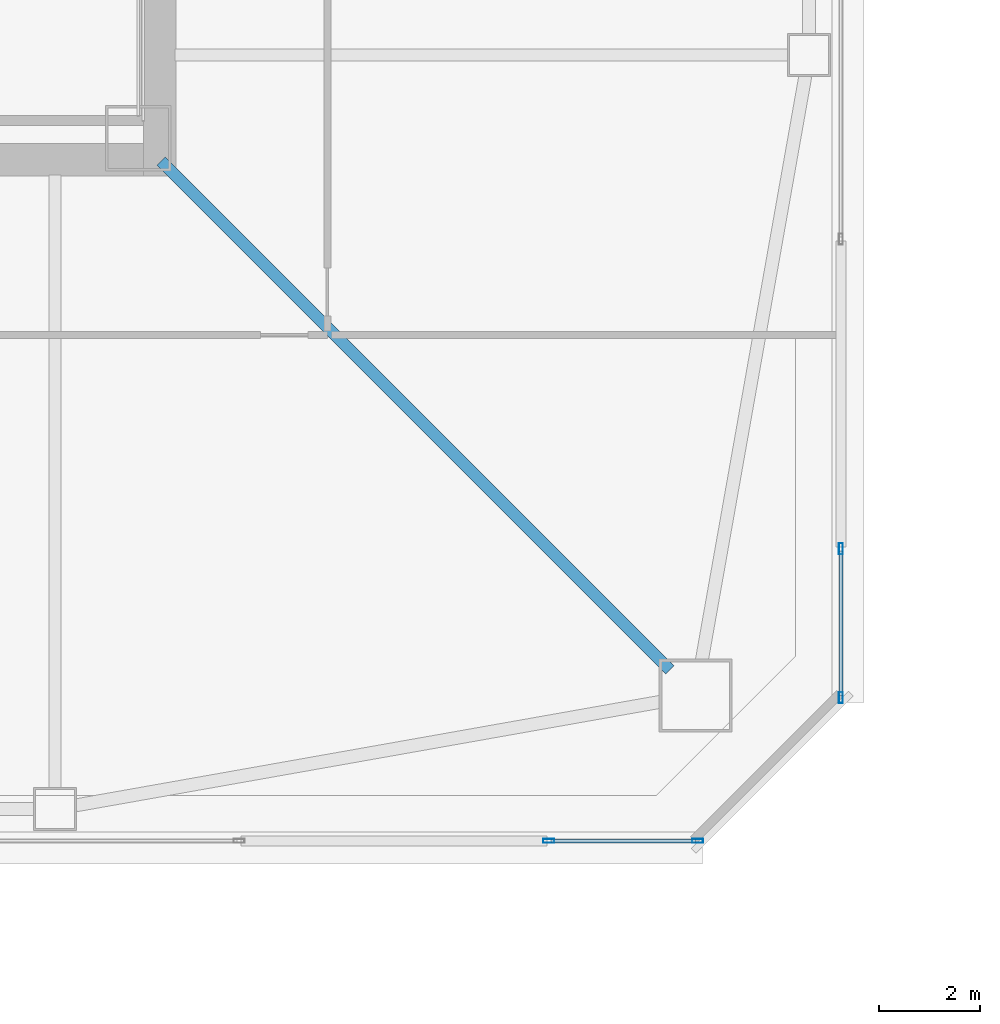
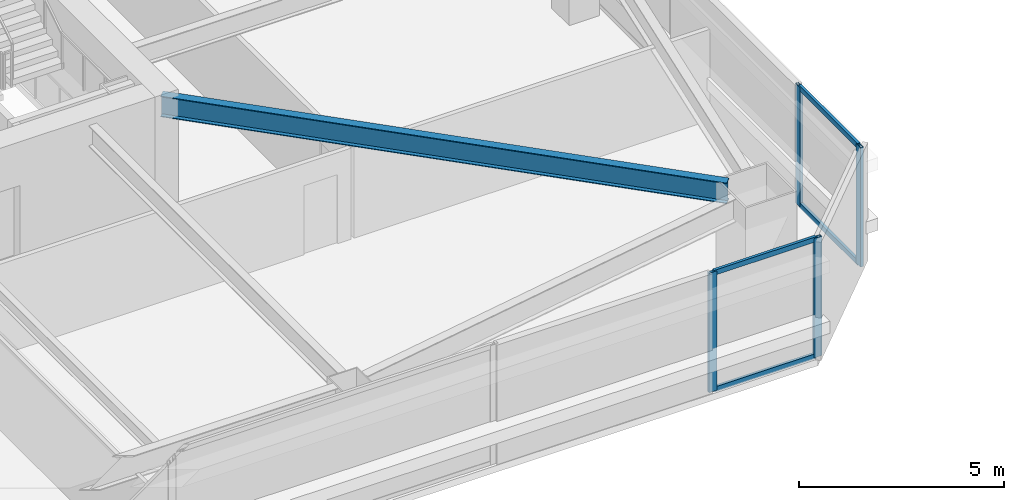
# One storey, part 8 of 48: 8 members, 1 beam, 2 elements without a shape of their own.
"""IFC4 building model written with IfcOpenShell, lengths in metres."""

from ifc_helpers import new_model, si_unit, direction, frame, origin, origin_2d, place, context, subcontext, project, spatial, hollow_rectangle, i_section, extrude, material, material_profile, profile_set, type_object, element, aggregate, save


model = new_model("IFC4")

# Units and contexts
model_context = context("Model", 3, precision=1e-05, world=origin(), true_north=direction((0.0, 1.0)))
body_context = subcontext(model_context, "Body", "Model", "MODEL_VIEW")
ifc_project = project(units=[si_unit("LENGTHUNIT", "METRE"), si_unit("AREAUNIT", "SQUARE_METRE"), si_unit("VOLUMEUNIT", "CUBIC_METRE"), si_unit("PLANEANGLEUNIT", "RADIAN"), si_unit("MASSUNIT", "GRAM", prefix="KILO")], contexts=[model_context])

# Site, building, storey
site_placement = place(None, origin())
site = spatial("IfcSite", under=ifc_project, at=site_placement, CompositionType="ELEMENT")
building_placement = place(site_placement, origin())
building = spatial("IfcBuilding", under=site, at=building_placement, Name="Tashvorn Skyway Center", CompositionType="ELEMENT")
storey_placement = place(building_placement, frame((0.0, 0.0, 77.85009765625)))
storey = spatial("IfcBuildingStorey", under=building, at=storey_placement, Name="L20", CompositionType="ELEMENT", Elevation=77.85009765625)

# Beam
ifc_material_1 = material(Name="Steel ASTM A992 Grade 50", Category="steel")
ifc_material_profile_1 = material_profile(ifc_material_1, i_section(OverallWidth=0.22998046875, OverallDepth=0.616943359375, WebThickness=0.01318359375, FlangeThickness=0.022216796875, at=origin_2d()), Name="W24X94")
ifc_profile_set_1 = profile_set([ifc_material_profile_1], Name="Steel ASTM A992 Grade 50")
beam_type = type_object("IfcBeamType", Name="BM-BEAM-W24X94", PredefinedType="BEAM", material=ifc_profile_set_1)
beam_placement = place(storey_placement, frame((59.5908203125, 14.4091796875, 3.04150390625), z_axis=(-0.707106781187, 0.707106781187, 0.0), x_axis=(-0.707106781187, -0.707106781187, 0.0)))
element("IfcBeam", 1, at=beam_placement, inside=storey, type_object=beam_type, Name="Tower 1 L20 Primary Floor Girder MC-SE", PredefinedType="BEAM", context=body_context, shape_type="SweptSolid", body=[
    extrude(i_section(OverallWidth=0.22998046875, OverallDepth=0.616943359375, WebThickness=0.01318359375, FlangeThickness=0.022216796875, at=origin_2d()), origin(), (0.0, 0.0, 1.0), 14.261962890625),
])

# Curtain wall, members
ifc_material_2 = material(Name="Thermally broken bronze-anodized aluminium 6063-T6", Category="aluminium")
curtain_wall_type = type_object("IfcCurtainWallType", Name="CW-CW-Z2", PredefinedType="NOTDEFINED", material=ifc_material_2)
curtain_wall_1_placement = place(storey_placement, origin())
curtain_wall_1 = element("IfcCurtainWall", 2, at=curtain_wall_1_placement, inside=storey, type_object=curtain_wall_type, Name="Tower 1 L20 South Unitised Curtain Wall Glazing Group 1", PredefinedType="NOTDEFINED")
ifc_material_profile_2 = material_profile(ifc_material_2, hollow_rectangle(XDim=0.080078125, YDim=0.219970703125, WallThickness=0.0048828125, at=origin_2d()), Name="ALU-MULL-80x220")
ifc_profile_set_2 = profile_set([ifc_material_profile_2], Name="Thermally broken bronze-anodized aluminium 6063-T6")
member_type_1 = type_object("IfcMemberType", Name="CWM-CW-Z2", PredefinedType="MULLION", material=ifc_profile_set_2)
member_1_placement = place(storey_placement, frame((60.139892578125, 11.02001953125, 0.0), z_axis=(0.0, 0.0, 1.0), x_axis=(0.0, -1.0, 0.0)))
member_1 = element("IfcMember", 3, at=member_1_placement, type_object=member_type_1, Name="CW-Z2 mullion 1", PredefinedType="MULLION", context=body_context, shape_type="SweptSolid", body=[
    extrude(hollow_rectangle(XDim=0.080078125, YDim=0.219970703125, WallThickness=0.0048828125, at=origin_2d()), origin(), (0.0, 0.0, 1.0), 3.5498046875),
])
member_2_placement = place(storey_placement, frame((57.18994140625, 11.02001953125, 0.0), z_axis=(0.0, 0.0, 1.0), x_axis=(0.0, -1.0, 0.0)))
member_2 = element("IfcMember", 4, at=member_2_placement, type_object=member_type_1, Name="CW-Z2 mullion 2", PredefinedType="MULLION", context=body_context, shape_type="SweptSolid", body=[
    extrude(hollow_rectangle(XDim=0.080078125, YDim=0.219970703125, WallThickness=0.0048828125, at=origin_2d()), origin(), (0.0, 0.0, 1.0), 3.5498046875),
])

curtain_wall_2_placement = place(storey_placement, origin())
curtain_wall_2 = element("IfcCurtainWall", 5, at=curtain_wall_2_placement, inside=storey, type_object=curtain_wall_type, Name="Tower 1 L20 East Unitised Curtain Wall Glazing Group 3", PredefinedType="NOTDEFINED")
member_3_placement = place(storey_placement, frame((62.97998046875, 16.81005859375, 0.0), z_axis=(0.0, 0.0, 1.0), x_axis=(1.0, 0.0, 0.0)))
member_3 = element("IfcMember", 6, at=member_3_placement, type_object=member_type_1, Name="CW-Z2 mullion 1", PredefinedType="MULLION", context=body_context, shape_type="SweptSolid", body=[
    extrude(hollow_rectangle(XDim=0.080078125, YDim=0.219970703125, WallThickness=0.0048828125, at=origin_2d()), origin(), (0.0, 0.0, 1.0), 3.5498046875),
])
member_4_placement = place(storey_placement, frame((62.97998046875, 13.860107421875, 0.0), z_axis=(0.0, 0.0, 1.0), x_axis=(1.0, 0.0, 0.0)))
member_4 = element("IfcMember", 7, at=member_4_placement, type_object=member_type_1, Name="CW-Z2 mullion 2", PredefinedType="MULLION", context=body_context, shape_type="SweptSolid", body=[
    extrude(hollow_rectangle(XDim=0.080078125, YDim=0.219970703125, WallThickness=0.0048828125, at=origin_2d()), origin(), (0.0, 0.0, 1.0), 3.5498046875),
])

# Member
ifc_material_profile_3 = material_profile(ifc_material_2, hollow_rectangle(XDim=0.080078125, YDim=0.14990234375, WallThickness=0.00439453125, at=origin_2d()), Name="ALU-TRAN-80x150")
ifc_profile_set_3 = profile_set([ifc_material_profile_3], Name="Thermally broken bronze-anodized aluminium 6063-T6")
member_type_2 = type_object("IfcMemberType", Name="CWT-CW-Z2", PredefinedType="USERDEFINED", material=ifc_profile_set_3)
member_5_placement = place(storey_placement, frame((60.10009765625, 11.02001953125, 0.039794921875), z_axis=(-1.0, 0.0, 0.0), x_axis=(0.0, -1.0, 0.0)))
member_5 = element("IfcMember", 8, at=member_5_placement, type_object=member_type_2, Name="CW-Z2 transom 1.1", ObjectType="TRANSOM", PredefinedType="USERDEFINED", context=body_context, shape_type="SweptSolid", body=[
    extrude(hollow_rectangle(XDim=0.080078125, YDim=0.14990234375, WallThickness=0.00439453125, at=origin_2d()), origin(), (0.0, 0.0, 1.0), 2.8701171875),
])

member_6_placement = place(storey_placement, frame((60.10009765625, 11.02001953125, 3.510009765625), z_axis=(-1.0, 0.0, 0.0), x_axis=(0.0, -1.0, 0.0)))
member_6 = element("IfcMember", 9, at=member_6_placement, type_object=member_type_2, Name="CW-Z2 transom 1.2", ObjectType="TRANSOM", PredefinedType="USERDEFINED", context=body_context, shape_type="SweptSolid", body=[
    extrude(hollow_rectangle(XDim=0.080078125, YDim=0.14990234375, WallThickness=0.00439453125, at=origin_2d()), origin(), (0.0, 0.0, 1.0), 2.8701171875),
])

aggregate(curtain_wall_1, [member_1, member_2, member_5, member_6])

member_7_placement = place(storey_placement, frame((62.97998046875, 16.77001953125, 0.039794921875), z_axis=(0.0, -1.0, 0.0), x_axis=(1.0, 0.0, 0.0)))
member_7 = element("IfcMember", 10, at=member_7_placement, type_object=member_type_2, Name="CW-Z2 transom 1.1", ObjectType="TRANSOM", PredefinedType="USERDEFINED", context=body_context, shape_type="SweptSolid", body=[
    extrude(hollow_rectangle(XDim=0.080078125, YDim=0.14990234375, WallThickness=0.00439453125, at=origin_2d()), origin(), (0.0, 0.0, 1.0), 2.8701171875),
])

member_8_placement = place(storey_placement, frame((62.97998046875, 16.77001953125, 3.510009765625), z_axis=(0.0, -1.0, 0.0), x_axis=(1.0, 0.0, 0.0)))
member_8 = element("IfcMember", 11, at=member_8_placement, type_object=member_type_2, Name="CW-Z2 transom 1.2", ObjectType="TRANSOM", PredefinedType="USERDEFINED", context=body_context, shape_type="SweptSolid", body=[
    extrude(hollow_rectangle(XDim=0.080078125, YDim=0.14990234375, WallThickness=0.00439453125, at=origin_2d()), origin(), (0.0, 0.0, 1.0), 2.8701171875),
])

aggregate(curtain_wall_2, [member_3, member_4, member_7, member_8])

save(model, "model.ifc")
